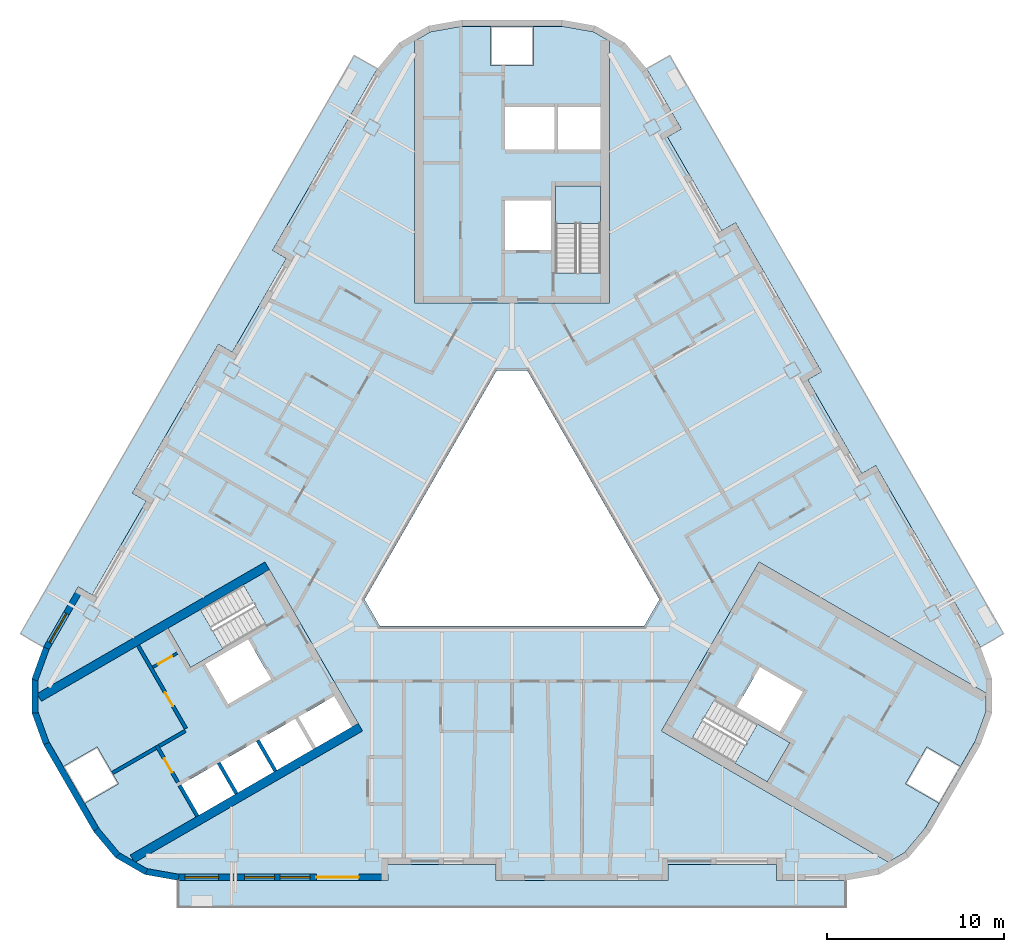
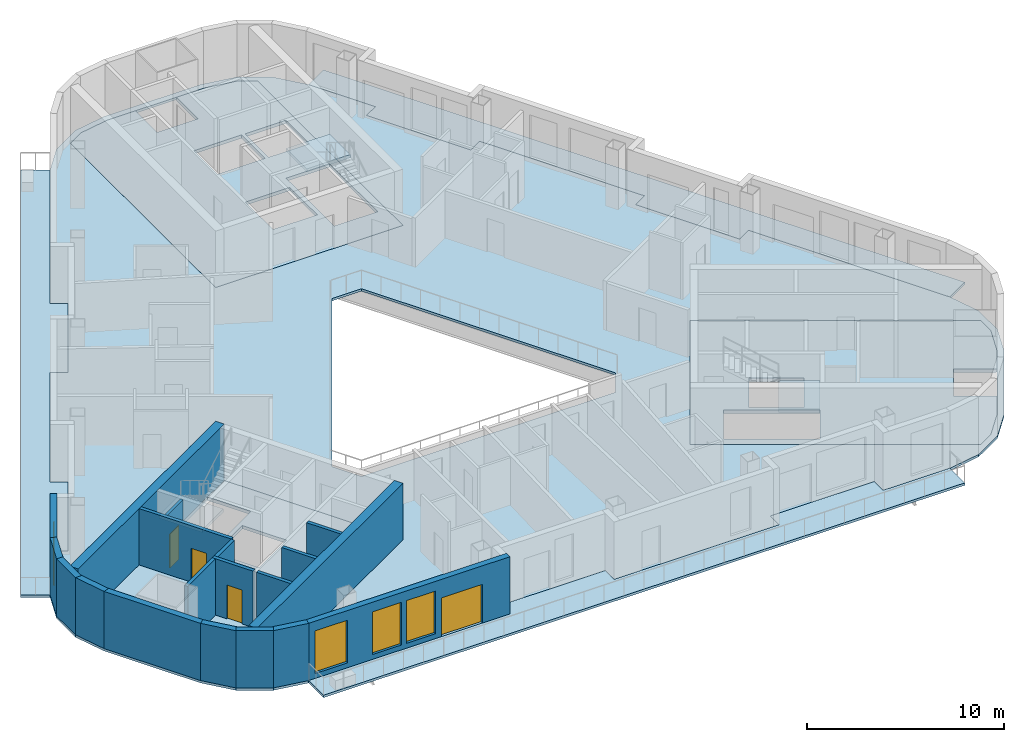
# One storey, part 2 of 14: 19 walls, 10 slabs, 4 doors, 4 windows, 8 openings, 3 elements without a shape of their own.
"""IFC4 building model written with IfcOpenShell, lengths in metres."""

from ifc_helpers import new_model, si_unit, direction, frame, frame_2d, origin, place, context, subcontext, project, spatial, polyline, rectangle, outline, extrude, material, layer, layer_set, type_object, element, fill, aggregate, save


model = new_model("IFC4")

# Units and contexts
model_context = context("Model", 3, precision=1e-05, world=origin(), true_north=direction((0.0, 1.0)))
body_context = subcontext(model_context, "Body", "Model", "MODEL_VIEW")
ifc_project = project(units=[si_unit("LENGTHUNIT", "METRE"), si_unit("AREAUNIT", "SQUARE_METRE"), si_unit("VOLUMEUNIT", "CUBIC_METRE"), si_unit("PLANEANGLEUNIT", "RADIAN"), si_unit("MASSUNIT", "GRAM", prefix="KILO")], contexts=[model_context])

# Site, building, storey
site_placement = place(None, origin())
site = spatial("IfcSite", under=ifc_project, at=site_placement, CompositionType="ELEMENT")
building_placement = place(site_placement, origin())
building = spatial("IfcBuilding", under=site, at=building_placement, Name="Apuvela Tower Hotel", CompositionType="ELEMENT")
storey_placement = place(building_placement, frame((0.0, 0.0, 220.60009765625)))
storey = spatial("IfcBuildingStorey", under=building, at=storey_placement, Name="L54", CompositionType="ELEMENT", Elevation=220.60009765625)

# Slabs
ifc_material_1 = material(Name="Concrete C50/60", Category="concrete")
ifc_layer_1 = layer(ifc_material_1, 0.199951171875)
ifc_layer_set_1 = layer_set([ifc_layer_1], Name="COR-FLOOR-200")
slab_type_1 = type_object("IfcSlabType", Name="COR-FLOOR-200", PredefinedType="FLOOR", material=ifc_layer_set_1)
slab_1_placement = place(storey_placement, frame((0.0, 0.0, -0.2001953125)))
element("IfcSlab", 1, at=slab_1_placement, inside=storey, type_object=slab_type_1, Name="Core floor N", PredefinedType="FLOOR", context=body_context, shape_type="SweptSolid", body=[
    extrude(outline(polyline([(5.5, 27.668212890625), (4.588623046875, 28.1943359375), (2.85498046875, 28.5), (1.199951171875, 28.5), (1.199951171875, 26.300048828125), (-1.199951171875, 26.300048828125), (-1.199951171875, 28.5), (-2.85498046875, 28.5), (-4.588623046875, 28.1943359375), (-5.5, 27.668212890625), (-5.5, 12.89990234375), (5.5, 12.89990234375), (5.5, 27.668212890625)]), holes=[polyline([(5.0, 14.60595703125), (2.449951171875, 14.60595703125), (2.449951171875, 19.5), (5.0, 19.5), (5.0, 14.60595703125)]), polyline([(2.199951171875, 15.89990234375), (-0.39990234375, 15.89990234375), (-0.39990234375, 18.699951171875), (2.199951171875, 18.699951171875), (2.199951171875, 15.89990234375)]), polyline([(5.0, 21.550048828125), (2.60009765625, 21.550048828125), (2.60009765625, 23.949951171875), (5.0, 23.949951171875), (5.0, 21.550048828125)]), polyline([(2.39990234375, 21.550048828125), (-0.39990234375, 21.550048828125), (-0.39990234375, 23.949951171875), (2.39990234375, 23.949951171875), (2.39990234375, 21.550048828125)])]), origin(), (0.0, 0.0, 1.0), 0.2001953125),
])
slab_2_placement = place(storey_placement, frame((0.0, 0.0, -0.2001953125)))
element("IfcSlab", 2, at=slab_2_placement, inside=storey, type_object=slab_type_1, Name="Core floor SW", PredefinedType="FLOOR", context=body_context, shape_type="SweptSolid", body=[
    extrude(outline(polyline([(-26.711181640625, -9.07080078125), (-26.711181640625, -10.123291015625), (-26.109375, -11.77734375), (-25.28173828125, -13.210693359375), (-23.37646484375, -12.11083984375), (-22.176513671875, -14.189208984375), (-24.081787109375, -15.289306640625), (-23.254150390625, -16.72265625), (-22.122802734375, -18.071044921875), (-21.211181640625, -18.59716796875), (-8.421630859375, -11.213134765625), (-13.921630859375, -1.68701171875), (-26.711181640625, -9.07080078125)]), holes=[polyline([(-10.01806640625, -9.248046875), (-9.01806640625, -10.97998046875), (-11.044677734375, -12.150146484375), (-12.044677734375, -10.418212890625), (-10.01806640625, -9.248046875)]), polyline([(-14.244384765625, -11.68798828125), (-12.2177734375, -10.51806640625), (-11.2177734375, -12.25), (-13.244384765625, -13.420166015625), (-14.244384765625, -11.68798828125)]), polyline([(-19.387451171875, -5.419921875), (-15.149169921875, -2.972900390625), (-13.874267578125, -5.18115234375), (-18.112548828125, -7.628173828125), (-19.387451171875, -5.419921875)]), polyline([(-14.869873046875, -6.044677734375), (-13.56982421875, -8.29638671875), (-15.99462890625, -9.6962890625), (-17.294677734375, -7.444580078125), (-14.869873046875, -6.044677734375)]), polyline([(-16.444091796875, -12.9580078125), (-14.41748046875, -11.7880859375), (-13.41748046875, -13.52001953125), (-15.444091796875, -14.690185546875), (-16.444091796875, -12.9580078125)]), polyline([(-18.643798828125, -14.22802734375), (-16.6171875, -13.05810546875), (-15.6171875, -14.7900390625), (-17.643798828125, -15.960205078125), (-18.643798828125, -14.22802734375)])]), origin(), (0.0, 0.0, 1.0), 0.2001953125),
])
slab_3_placement = place(storey_placement, frame((0.0, 0.0, -0.2001953125)))
element("IfcSlab", 3, at=slab_3_placement, inside=storey, type_object=slab_type_1, Name="Core floor SE", PredefinedType="FLOOR", context=body_context, shape_type="SweptSolid", body=[
    extrude(outline(polyline([(21.211181640625, -18.59716796875), (22.122802734375, -18.071044921875), (23.254150390625, -16.72265625), (24.081787109375, -15.289306640625), (22.176513671875, -14.189208984375), (23.37646484375, -12.11083984375), (25.28173828125, -13.210693359375), (26.109375, -11.77734375), (26.711181640625, -10.123291015625), (26.711181640625, -9.07080078125), (13.921630859375, -1.68701171875), (8.421630859375, -11.213134765625), (21.211181640625, -18.59716796875)]), holes=[polyline([(11.42431640625, -9.4248046875), (15.66259765625, -11.871826171875), (14.387451171875, -14.080078125), (10.149169921875, -11.633056640625), (11.42431640625, -9.4248046875)]), polyline([(13.9697265625, -7.603515625), (16.394775390625, -9.003662109375), (15.0947265625, -11.25537109375), (12.669921875, -9.855224609375), (13.9697265625, -7.603515625)])]), origin(), (0.0, 0.0, 1.0), 0.2001953125),
])

# Stair, slab
stair_type = type_object("IfcStairType", Name="COR-STAIR-22R", PredefinedType="HALF_TURN_STAIR", material=ifc_material_1)
stair_1_placement = place(storey_placement, origin())
stair_1 = element("IfcStair", 4, at=stair_1_placement, inside=storey, type_object=stair_type, Name="L54 Exit stair ST1", PredefinedType="HALF_TURN_STAIR")
ifc_layer_2 = layer(ifc_material_1, 0.199951171875)
ifc_layer_set_2 = layer_set([ifc_layer_2], Name="COR-LANDING-200")
slab_type_2 = type_object("IfcSlabType", Name="COR-LANDING-200", PredefinedType="LANDING", material=ifc_layer_set_2)
slab_4_placement = place(storey_placement, frame((0.0, 0.0, 1.64990234375)))
slab_4 = element("IfcSlab", 5, at=slab_4_placement, type_object=slab_type_2, Name="ST1 landing 1", PredefinedType="LANDING", context=body_context, shape_type="SweptSolid", body=[
    extrude(outline(polyline([(5.0, 17.39404296875), (5.0, 19.5), (2.449951171875, 19.5), (2.449951171875, 17.39404296875), (5.0, 17.39404296875)])), origin(), (0.0, 0.0, 1.0), 0.199951171875),
])
aggregate(stair_1, [slab_4])

stair_2_placement = place(storey_placement, origin())
stair_2 = element("IfcStair", 6, at=stair_2_placement, inside=storey, type_object=stair_type, Name="L54 Exit stair ST2", PredefinedType="HALF_TURN_STAIR")
slab_5_placement = place(storey_placement, frame((0.0, 0.0, 1.64990234375)))
slab_5 = element("IfcSlab", 7, at=slab_5_placement, type_object=slab_type_2, Name="ST2 landing 1", PredefinedType="LANDING", context=body_context, shape_type="SweptSolid", body=[
    extrude(outline(polyline([(-17.563720703125, -4.366943359375), (-19.387451171875, -5.419921875), (-18.112548828125, -7.628173828125), (-16.28857421875, -6.5751953125), (-17.563720703125, -4.366943359375)])), origin(), (0.0, 0.0, 1.0), 0.199951171875),
])
aggregate(stair_2, [slab_5])

stair_3_placement = place(storey_placement, origin())
stair_3 = element("IfcStair", 8, at=stair_3_placement, inside=storey, type_object=stair_type, Name="L54 Exit stair ST3", PredefinedType="HALF_TURN_STAIR")
slab_6_placement = place(storey_placement, frame((0.0, 0.0, 1.64990234375)))
slab_6 = element("IfcSlab", 9, at=slab_6_placement, type_object=slab_type_2, Name="ST3 landing 1", PredefinedType="LANDING", context=body_context, shape_type="SweptSolid", body=[
    extrude(outline(polyline([(12.563720703125, -13.027099609375), (14.387451171875, -14.080078125), (15.66259765625, -11.871826171875), (13.838623046875, -10.81884765625), (12.563720703125, -13.027099609375)])), origin(), (0.0, 0.0, 1.0), 0.199951171875),
])
aggregate(stair_3, [slab_6])

# Slabs
ifc_material_2 = material(Name="Concrete C40/50, fair-faced", Category="concrete")
ifc_layer_3 = layer(ifc_material_2, 0.14990234375)
ifc_layer_set_3 = layer_set([ifc_layer_3], Name="ENV-BALCONY-150")
slab_type_3 = type_object("IfcSlabType", Name="ENV-BALCONY-150", PredefinedType="FLOOR", material=ifc_layer_set_3)
slab_7_placement = place(storey_placement, frame((0.0, 0.0, -0.150146484375)))
element("IfcSlab", 10, at=slab_7_placement, inside=storey, type_object=slab_type_3, Name="Balcony slab S L54", PredefinedType="FLOOR", context=body_context, shape_type="SweptSolid", body=[
    extrude(outline(polyline([(18.82080078125, -21.135009765625), (-18.82080078125, -21.135009765625), (-18.82080078125, -19.625), (-7.0048828125, -19.625), (-7.0048828125, -18.72509765625), (-0.89501953125, -18.72509765625), (-0.89501953125, -19.625), (8.794921875, -19.625), (8.794921875, -18.72509765625), (14.905029296875, -18.72509765625), (14.905029296875, -19.625), (18.82080078125, -19.625), (18.82080078125, -21.135009765625)])), origin(), (0.0, 0.0, 1.0), 0.150146484375),
])
slab_8_placement = place(storey_placement, frame((0.0, 0.0, -0.150146484375)))
element("IfcSlab", 11, at=slab_8_placement, inside=storey, type_object=slab_type_3, Name="Balcony slab NE L54", PredefinedType="FLOOR", context=body_context, shape_type="SweptSolid", body=[
    extrude(outline(polyline([(17.443359375, 9.037353515625), (12.598388671875, 17.42919921875), (11.81884765625, 16.979248046875), (8.763916015625, 22.2705078125), (9.543212890625, 22.720703125), (7.585205078125, 26.11181640625), (8.89306640625, 26.86669921875), (27.7138671875, -5.731689453125), (26.40625, -6.48681640625), (20.498291015625, 3.74609375), (19.71875, 3.2958984375), (16.663818359375, 8.58740234375), (17.443359375, 9.037353515625)])), origin(), (0.0, 0.0, 1.0), 0.150146484375),
])
slab_9_placement = place(storey_placement, frame((0.0, 0.0, -0.150146484375)))
element("IfcSlab", 12, at=slab_9_placement, inside=storey, type_object=slab_type_3, Name="Balcony slab NW L54", PredefinedType="FLOOR", context=body_context, shape_type="SweptSolid", body=[
    extrude(outline(polyline([(-27.7138671875, -5.731689453125), (-8.89306640625, 26.86669921875), (-7.585205078125, 26.11181640625), (-13.4931640625, 15.87890625), (-12.7138671875, 15.428955078125), (-15.768798828125, 10.1376953125), (-16.548095703125, 10.587646484375), (-21.393310546875, 2.19580078125), (-20.61376953125, 1.745849609375), (-23.668701171875, -3.545654296875), (-24.4482421875, -3.095703125), (-26.40625, -6.48681640625), (-27.7138671875, -5.731689453125)])), origin(), (0.0, 0.0, 1.0), 0.150146484375),
])
ifc_material_3 = material(Name="Concrete C35/45", Category="concrete")
ifc_layer_4 = layer(ifc_material_3, 0.14990234375)
ifc_layer_set_4 = layer_set([ifc_layer_4], Name="STR-SLAB 150 floor Concrete C35/45")
slab_type_4 = type_object("IfcSlabType", Name="STR-SLAB 150 floor Concrete C35/45", PredefinedType="FLOOR", material=ifc_layer_set_4)
slab_10_placement = place(storey_placement, frame((0.0, 0.0, -0.150146484375)))
element("IfcSlab", 13, at=slab_10_placement, inside=storey, type_object=slab_type_4, Name="Floor slab S4 L54", PredefinedType="FLOOR", context=body_context, shape_type="SweptSolid", body=[
    extrude(outline(polyline([(-6.3642578125, 27.5732421875), (-4.710205078125, 28.5283203125), (-2.8291015625, 28.860107421875), (2.8291015625, 28.860107421875), (4.710205078125, 28.5283203125), (6.3642578125, 27.5732421875), (7.59228515625, 26.110107421875), (9.550048828125, 22.71875), (8.770751953125, 22.268798828125), (11.82080078125, 16.986083984375), (12.60009765625, 17.43603515625), (17.4501953125, 9.035400390625), (16.670654296875, 8.58544921875), (19.720703125, 3.302734375), (20.5, 3.752685546875), (26.407958984375, -6.47998046875), (27.061279296875, -8.27490234375), (27.061279296875, -10.18505859375), (26.407958984375, -11.97998046875), (23.5791015625, -16.8798828125), (22.351318359375, -18.34326171875), (20.697021484375, -19.29833984375), (18.81591796875, -19.6298828125), (14.89990234375, -19.6298828125), (14.89990234375, -18.72998046875), (8.800048828125, -18.72998046875), (8.800048828125, -19.6298828125), (-0.89990234375, -19.6298828125), (-0.89990234375, -18.72998046875), (-7.0, -18.72998046875), (-7.0, -19.6298828125), (-18.81591796875, -19.6298828125), (-20.697021484375, -19.29833984375), (-22.351318359375, -18.34326171875), (-23.5791015625, -16.8798828125), (-26.407958984375, -11.97998046875), (-27.061279296875, -10.18505859375), (-27.061279296875, -8.27490234375), (-26.407958984375, -6.47998046875), (-24.4501953125, -3.088623046875), (-23.670654296875, -3.538818359375), (-20.62060546875, 1.743896484375), (-21.400146484375, 2.194091796875), (-16.550048828125, 10.594482421875), (-15.7705078125, 10.14453125), (-12.720703125, 15.42724609375), (-13.5, 15.877197265625), (-7.59228515625, 26.110107421875), (-6.3642578125, 27.5732421875)]), holes=[polyline([(0.865966796875, 9.10009765625), (-0.865966796875, 9.10009765625), (-8.313720703125, -3.800048828125), (-7.44775390625, -5.300048828125), (7.44775390625, -5.300048828125), (8.313720703125, -3.800048828125), (0.865966796875, 9.10009765625)]), polyline([(-5.5, 12.89990234375), (-5.5, 27.668212890625), (-4.588623046875, 28.1943359375), (-2.85498046875, 28.5), (2.85498046875, 28.5), (4.588623046875, 28.1943359375), (5.5, 27.668212890625), (5.5, 12.89990234375), (-5.5, 12.89990234375)]), polyline([(-8.421630859375, -11.213134765625), (-21.211181640625, -18.59716796875), (-22.122802734375, -18.071044921875), (-23.254150390625, -16.72265625), (-26.109375, -11.77734375), (-26.711181640625, -10.123291015625), (-26.711181640625, -9.07080078125), (-13.921630859375, -1.68701171875), (-8.421630859375, -11.213134765625)]), polyline([(13.921630859375, -1.68701171875), (26.711181640625, -9.07080078125), (26.711181640625, -10.123291015625), (26.109375, -11.77734375), (23.254150390625, -16.72265625), (22.122802734375, -18.071044921875), (21.211181640625, -18.59716796875), (8.421630859375, -11.213134765625), (13.921630859375, -1.68701171875)])]), origin(), (0.0, 0.0, 1.0), 0.150146484375),
])

# Walls
ifc_layer_5 = layer(ifc_material_1, 0.5)
ifc_layer_set_5 = layer_set([ifc_layer_5], Name="COR-WALL-CORE-500")
wall_type_1 = type_object("IfcWallType", Name="COR-WALL-CORE-500", PredefinedType="SHEAR", material=ifc_layer_set_5)
for number, where, z_axis, x_axis, name in (
    (14, (-13.796630859375, -1.9033203125, 0.0), (0.0, 0.0, 1.0), (-0.866025009528, -0.500000682871, 0.0), "Core wall SW"),
    (15, (-8.546630859375, -10.99658203125, 0.0), (0.0, 0.0, 1.0), (-0.866025009528, -0.500000682871, 0.0), "Core wall SW"),
):
    element("IfcWall", number, at=place(storey_placement, frame(where, z_axis=z_axis, x_axis=x_axis)), inside=storey, type_object=wall_type_1, Name=name, PredefinedType="SHEAR", context=body_context, shape_type="SweptSolid", body=[
        extrude(rectangle(XDim=14.8369140625, YDim=0.5, at=frame_2d((7.41845703125, 0.0))), origin(), (0.0, 0.0, 1.0), 3.5),
    ])

# Wall, opening, door
ifc_material_4 = material(Name="Blockwork 150 mm plastered", Category="masonry")
ifc_layer_6 = layer(ifc_material_4, 0.14990234375)
ifc_layer_set_6 = layer_set([ifc_layer_6], Name="COR-WALL-PART-150")
wall_type_2 = type_object("IfcWallType", Name="COR-WALL-PART-150", PredefinedType="PARTITIONING", material=ifc_layer_set_6)
wall_1_placement = place(storey_placement, frame((-18.866455078125, -6.822265625, 0.0), z_axis=(0.0, 0.0, 1.0), x_axis=(-0.866028054938, -0.499995408039, 0.0)))
wall_1 = element("IfcWall", 16, at=wall_1_placement, inside=storey, type_object=wall_type_2, Name="Partition SW", PredefinedType="PARTITIONING", context=body_context, shape_type="SweptSolid", body=[
    extrude(rectangle(XDim=1.60009765625, YDim=0.14990234375, at=frame_2d((0.800048828125, 0.0))), origin(), (0.0, 0.0, 1.0), 3.5),
])
opening_1_placement = place(wall_1_placement, frame((0.35009765625, 0.0, 0.0)))
opening_1 = element("IfcOpeningElement", 17, at=opening_1_placement, cuts=wall_1, Name="Opening W-RD", PredefinedType="OPENING", context=body_context, shape_type="SweptSolid", body=[
    extrude(rectangle(XDim=0.89990234375, YDim=2.10009765625, at=frame_2d((0.449951171875, 1.050048828125))), frame((0.0, 0.0849609375, 0.0), z_axis=(0.0, -1.0, 0.0), x_axis=(1.0, 0.0, 0.0)), (0.0, 0.0, 1.0), 0.169921875),
])
ifc_material_5 = material(Name="Steel access door, powder coated", Category="steel")
door_type_1 = type_object("IfcDoorType", Name="COR-RD-900", OperationType="NOTDEFINED", PredefinedType="DOOR", material=ifc_material_5)
door_1_placement = place(opening_1_placement, frame((0.89990234375, 0.0, 0.0), z_axis=(0.0, 0.0, 1.0), x_axis=(-1.0, 0.0, 0.0)))
door_1 = element("IfcDoor", 18, at=door_1_placement, inside=storey, type_object=door_type_1, Name="Riser door W-RD", OperationType="SINGLE_SWING_RIGHT", OverallHeight=2.10009765625, OverallWidth=0.89990234375, PredefinedType="DOOR", context=body_context, shape_type="SweptSolid", body=[
    extrude(rectangle(XDim=0.89990234375, YDim=2.10009765625, at=frame_2d((0.449951171875, 1.050048828125))), frame((0.0, 0.02490234375, 0.0), z_axis=(0.0, -1.0, 0.0), x_axis=(1.0, 0.0, 0.0)), (0.0, 0.0, 1.0), 0.050048828125),
])
fill(opening_1, door_1)

ifc_material_6 = material(Name="Blockwork 200 mm plastered", Category="masonry")
ifc_layer_7 = layer(ifc_material_6, 0.199951171875)
ifc_layer_set_7 = layer_set([ifc_layer_7], Name="COR-WALL-PART-200")
wall_type_3 = type_object("IfcWallType", Name="COR-WALL-PART-200", PredefinedType="PARTITIONING", material=ifc_layer_set_7)
wall_2_placement = place(storey_placement, frame((-21.076171875, -6.39501953125, 0.0), z_axis=(0.0, 0.0, 1.0), x_axis=(0.50001468107, -0.866016927499, 0.0)))
wall_2 = element("IfcWall", 19, at=wall_2_placement, inside=storey, type_object=wall_type_3, Name="Partition SW", PredefinedType="PARTITIONING", context=body_context, shape_type="SweptSolid", body=[
    extrude(rectangle(XDim=5.399658203125, YDim=0.199951171875, at=frame_2d((2.69970703125, 0.0))), origin(), (0.0, 0.0, 1.0), 3.5),
])
opening_2_placement = place(wall_2_placement, frame((3.050048828125, 0.0, 0.0)))
opening_2 = element("IfcOpeningElement", 20, at=opening_2_placement, cuts=wall_2, Name="Opening W-RS1", PredefinedType="OPENING", context=body_context, shape_type="SweptSolid", body=[
    extrude(rectangle(XDim=0.89990234375, YDim=2.10009765625, at=frame_2d((0.449951171875, 1.050048828125))), frame((0.0, 0.10986328125, 0.0), z_axis=(0.0, -1.0, 0.0), x_axis=(1.0, 0.0, 0.0)), (0.0, 0.0, 1.0), 0.219970703125),
])
ifc_material_7 = material(Name="Steel fire door, powder coated", Category="steel")
door_type_2 = type_object("IfcDoorType", Name="COR-DR-900", OperationType="NOTDEFINED", PredefinedType="DOOR", material=ifc_material_7)
door_2_placement = place(opening_2_placement, frame((0.89990234375, 0.0, 0.0), z_axis=(0.0, 0.0, 1.0), x_axis=(-1.0, 0.0, 0.0)))
door_2 = element("IfcDoor", 21, at=door_2_placement, inside=storey, type_object=door_type_2, Name="Store door W-RS1", OperationType="SINGLE_SWING_LEFT", OverallHeight=2.10009765625, OverallWidth=0.89990234375, PredefinedType="DOOR", context=body_context, shape_type="SweptSolid", body=[
    extrude(rectangle(XDim=0.89990234375, YDim=2.10009765625, at=frame_2d((0.449951171875, 1.050048828125))), frame((0.0, 0.02490234375, 0.0), z_axis=(0.0, -1.0, 0.0), x_axis=(1.0, 0.0, 0.0)), (0.0, 0.0, 1.0), 0.050048828125),
])
fill(opening_2, door_2)

ifc_layer_8 = layer(ifc_material_1, 0.199951171875)
ifc_layer_set_8 = layer_set([ifc_layer_8], Name="COR-WALL-SHAFT-200")
wall_type_4 = type_object("IfcWallType", Name="COR-WALL-SHAFT-200", PredefinedType="SHEAR", material=ifc_layer_set_8)
wall_3_placement = place(storey_placement, frame((-20.030517578125, -12.0263671875, 0.0), z_axis=(0.0, 0.0, 1.0), x_axis=(0.500033551112, -0.866006032174, 0.0)))
wall_3 = element("IfcWall", 22, at=wall_3_placement, inside=storey, type_object=wall_type_4, Name="Shaft wall SW", PredefinedType="SHEAR", context=body_context, shape_type="SweptSolid", body=[
    extrude(rectangle(XDim=2.400146484375, YDim=0.199951171875, at=frame_2d((1.2001953125, 0.0))), origin(), (0.0, 0.0, 1.0), 3.5),
])
opening_3_placement = place(wall_3_placement, frame((0.85009765625, 0.0, 0.0)))
opening_3 = element("IfcOpeningElement", 23, at=opening_3_placement, cuts=wall_3, Name="Opening W-REP", PredefinedType="OPENING", context=body_context, shape_type="SweptSolid", body=[
    extrude(rectangle(XDim=0.89990234375, YDim=2.10009765625, at=frame_2d((0.449951171875, 1.050048828125))), frame((0.0, 0.10986328125, 0.0), z_axis=(0.0, -1.0, 0.0), x_axis=(1.0, 0.0, 0.0)), (0.0, 0.0, 1.0), 0.219970703125),
])
door_3_placement = place(opening_3_placement, frame((0.89990234375, 0.0, 0.0), z_axis=(0.0, 0.0, 1.0), x_axis=(-1.0, 0.0, 0.0)))
door_3 = element("IfcDoor", 24, at=door_3_placement, inside=storey, type_object=door_type_2, Name="Store door W-REP", OperationType="SINGLE_SWING_LEFT", OverallHeight=2.10009765625, OverallWidth=0.89990234375, PredefinedType="DOOR", context=body_context, shape_type="SweptSolid", body=[
    extrude(rectangle(XDim=0.89990234375, YDim=2.10009765625, at=frame_2d((0.449951171875, 1.050048828125))), frame((0.0, 0.02490234375, 0.0), z_axis=(0.0, -1.0, 0.0), x_axis=(1.0, 0.0, 0.0)), (0.0, 0.0, 1.0), 0.050048828125),
])
fill(opening_3, door_3)

# Walls
wall_4_placement = place(storey_placement, frame((-18.412841796875, -11.2080078125, 0.0), z_axis=(0.0, 0.0, 1.0), x_axis=(-0.866038183914, -0.499977863513, 0.0)))
element("IfcWall", 25, at=wall_4_placement, inside=storey, type_object=wall_type_4, Name="Shaft wall SW", PredefinedType="SHEAR", context=body_context, shape_type="SweptSolid", body=[
    extrude(rectangle(XDim=1.7099609375, YDim=0.199951171875, at=frame_2d((0.85498046875, 0.0))), origin(), (0.0, 0.0, 1.0), 3.5),
])
for number, where, z_axis, x_axis, name in (
    (26, (-14.330810546875, -11.738037109375, 0.0), (0.0, 0.0, 1.0), (0.499972520799, -0.866041268327, 0.0), "Shaft wall SW"),
    (27, (-16.530517578125, -13.008056640625, 0.0), (0.0, 0.0, 1.0), (0.50002537861, -0.866010750942, 0.0), "Shaft wall SW"),
    (28, (-18.73046875, -14.278076171875, 0.0), (0.0, 0.0, 1.0), (0.50002537861, -0.866010750942, 0.0), "Shaft wall SW"),
):
    element("IfcWall", number, at=place(storey_placement, frame(where, z_axis=z_axis, x_axis=x_axis)), inside=storey, type_object=wall_type_4, Name=name, PredefinedType="SHEAR", context=body_context, shape_type="SweptSolid", body=[
        extrude(rectangle(XDim=2.0, YDim=0.199951171875, at=frame_2d((1.0, 0.0))), origin(), (0.0, 0.0, 1.0), 3.5),
    ])
wall_5_placement = place(storey_placement, frame((-20.06689453125, -12.1630859375, 0.0), z_axis=(0.0, 0.0, 1.0), x_axis=(-0.866055327414, -0.49994816717, 0.0)))
element("IfcWall", 29, at=wall_5_placement, inside=storey, type_object=wall_type_4, Name="Shaft wall SW", PredefinedType="SHEAR", context=body_context, shape_type="SweptSolid", body=[
    extrude(rectangle(XDim=2.840087890625, YDim=0.199951171875, at=frame_2d((1.419921875, 0.0))), origin(), (0.0, 0.0, 1.0), 3.5),
])

# Wall, opening, window
ifc_material_8 = material(Name="Concrete C40/50, dark pigmented precast panel", Category="concrete")
ifc_layer_9 = layer(ifc_material_8, 0.35009765625)
ifc_layer_set_9 = layer_set([ifc_layer_9], Name="ENV-WALL-350")
wall_type_5 = type_object("IfcWallType", Name="ENV-WALL-350", PredefinedType="SOLIDWALL", material=ifc_layer_set_9)
wall_6_placement = place(storey_placement, frame((-24.298583984375, -3.17626953125, 0.0), z_axis=(0.0, 0.0, 1.0), x_axis=(-0.500028278809, -0.866009076391, 0.0)))
wall_6 = element("IfcWall", 30, at=wall_6_placement, inside=storey, type_object=wall_type_5, Name="External wall L54-09", PredefinedType="SOLIDWALL", context=body_context, shape_type="SweptSolid", body=[
    extrude(rectangle(XDim=3.915771484375, YDim=0.35009765625, at=frame_2d((1.9580078125, 0.0))), origin(), (0.0, 0.0, 1.0), 3.5498046875),
])
opening_4_placement = place(wall_6_placement, frame((1.625, 0.0, 0.300048828125)))
opening_4 = element("IfcOpeningElement", 31, at=opening_4_placement, cuts=wall_6, Name="Opening WN19", PredefinedType="OPENING", context=body_context, shape_type="SweptSolid", body=[
    extrude(rectangle(XDim=1.89990234375, YDim=2.64990234375, at=frame_2d((0.949951171875, 1.324951171875))), frame((0.0, 0.18505859375, 0.0), z_axis=(0.0, -1.0, 0.0), x_axis=(1.0, 0.0, 0.0)), (0.0, 0.0, 1.0), 0.3701171875),
])
ifc_material_9 = material(Name="Glass, dark tinted laminated insulated glazing unit", Category="glass")
window_type_1 = type_object("IfcWindowType", Name="ENV-WIN-1900x2650", PartitioningType="SINGLE_PANEL", PredefinedType="WINDOW", material=ifc_material_9)
window_1_placement = place(opening_4_placement, origin())
window_1 = element("IfcWindow", 32, at=window_1_placement, inside=storey, type_object=window_type_1, Name="Window WN19", OverallHeight=2.64990234375, OverallWidth=1.89990234375, PartitioningType="SINGLE_PANEL", PredefinedType="WINDOW", context=body_context, shape_type="SweptSolid", body=[
    extrude(rectangle(XDim=1.89990234375, YDim=2.64990234375, at=frame_2d((0.949951171875, 1.324951171875))), frame((0.0, 0.030029296875, 0.0), z_axis=(0.0, -1.0, 0.0), x_axis=(1.0, 0.0, 0.0)), (0.0, 0.0, 1.0), 0.06005859375),
])
fill(opening_4, window_1)

# Walls
for number, where, z_axis, x_axis, name in (
    (33, (-26.24365234375, -6.539794921875, 0.0), (0.0, 0.0, 1.0), (-0.342030395486, -0.939688889242, 0.0), "External wall L54-10"),
    (34, (-26.88623046875, -8.27490234375, 0.0), (0.0, 0.0, 1.0), (0.0, -1.0, 0.0), "External wall L54-11"),
    (35, (-26.89697265625, -10.125244140625, 0.0), (0.0, 0.0, 1.0), (0.342030395486, -0.939688889242, 0.0), "External wall L54-12"),
):
    element("IfcWall", number, at=place(storey_placement, frame(where, z_axis=z_axis, x_axis=x_axis)), inside=storey, type_object=wall_type_5, Name=name, PredefinedType="SOLIDWALL", context=body_context, shape_type="SweptSolid", body=[
        extrude(rectangle(XDim=1.91015625, YDim=0.35009765625, at=frame_2d((0.955078125, 0.0))), origin(), (0.0, 0.0, 1.0), 3.5498046875),
    ])
wall_7_placement = place(storey_placement, frame((-26.256591796875, -11.892578125, 0.0), z_axis=(0.0, 0.0, 1.0), x_axis=(0.500018773155, -0.866014564827, 0.0)))
element("IfcWall", 36, at=wall_7_placement, inside=storey, type_object=wall_type_5, Name="External wall L54-13", PredefinedType="SOLIDWALL", context=body_context, shape_type="SweptSolid", body=[
    extrude(rectangle(XDim=5.657958984375, YDim=0.35009765625, at=frame_2d((2.8291015625, 0.0))), origin(), (0.0, 0.0, 1.0), 3.5498046875),
])
for number, where, z_axis, x_axis, name in (
    (37, (-23.44482421875, -16.767578125, 0.0), (0.0, 0.0, 1.0), (0.642733291068, -0.76609001857, 0.0), "External wall L54-14"),
    (38, (-22.263671875, -18.191650390625, 0.0), (0.0, 0.0, 1.0), (0.866000389056, -0.500043324278, 0.0), "External wall L54-15"),
):
    element("IfcWall", number, at=place(storey_placement, frame(where, z_axis=z_axis, x_axis=x_axis)), inside=storey, type_object=wall_type_5, Name=name, PredefinedType="SOLIDWALL", context=body_context, shape_type="SweptSolid", body=[
        extrude(rectangle(XDim=1.909912109375, YDim=0.35009765625, at=frame_2d((0.955078125, 0.0))), origin(), (0.0, 0.0, 1.0), 3.5498046875),
    ])
wall_8_placement = place(storey_placement, frame((-20.66650390625, -19.1259765625, 0.0), z_axis=(0.0, 0.0, 1.0), x_axis=(0.984798995425, -0.173697837091, 0.0)))
element("IfcWall", 39, at=wall_8_placement, inside=storey, type_object=wall_type_5, Name="External wall L54-16", PredefinedType="SOLIDWALL", context=body_context, shape_type="SweptSolid", body=[
    extrude(rectangle(XDim=1.91015625, YDim=0.35009765625, at=frame_2d((0.955078125, 0.0))), origin(), (0.0, 0.0, 1.0), 3.5498046875),
])

# Wall, openings, door, windows
wall_9_placement = place(storey_placement, frame((-18.81591796875, -19.455078125, 0.0), z_axis=(0.0, 0.0, 1.0), x_axis=(1.0, 0.0, 0.0)))
wall_9 = element("IfcWall", 40, at=wall_9_placement, inside=storey, type_object=wall_type_5, Name="External wall L54-17", PredefinedType="SOLIDWALL", context=body_context, shape_type="SweptSolid", body=[
    extrude(rectangle(XDim=11.81591796875, YDim=0.35009765625, at=frame_2d((5.907958984375, 0.0))), origin(), (0.0, 0.0, 1.0), 3.5498046875),
])
opening_5_placement = place(wall_9_placement, frame((0.380615234375, 0.0, 0.300048828125)))
opening_5 = element("IfcOpeningElement", 41, at=opening_5_placement, cuts=wall_9, Name="Opening WN19", PredefinedType="OPENING", context=body_context, shape_type="SweptSolid", body=[
    extrude(rectangle(XDim=1.89990234375, YDim=2.64990234375, at=frame_2d((0.949951171875, 1.324951171875))), frame((0.0, 0.18505859375, 0.0), z_axis=(0.0, -1.0, 0.0), x_axis=(1.0, 0.0, 0.0)), (0.0, 0.0, 1.0), 0.3701171875),
])
opening_6_placement = place(wall_9_placement, frame((7.790283203125, 0.0, 0.0)))
opening_6 = element("IfcOpeningElement", 42, at=opening_6_placement, cuts=wall_9, Name="Opening BD24", PredefinedType="OPENING", context=body_context, shape_type="SweptSolid", body=[
    extrude(rectangle(XDim=2.39990234375, YDim=2.39990234375, at=frame_2d((1.199951171875, 1.199951171875))), frame((0.0, 0.18505859375, 0.0), z_axis=(0.0, -1.0, 0.0), x_axis=(1.0, 0.0, 0.0)), (0.0, 0.0, 1.0), 0.3701171875),
])
opening_7_placement = place(wall_9_placement, frame((3.740966796875, 0.0, 0.300048828125)))
opening_7 = element("IfcOpeningElement", 43, at=opening_7_placement, cuts=wall_9, Name="Opening WN17", PredefinedType="OPENING", context=body_context, shape_type="SweptSolid", body=[
    extrude(rectangle(XDim=1.699951171875, YDim=2.64990234375, at=frame_2d((0.85009765625, 1.324951171875))), frame((0.0, 0.18505859375, 0.0), z_axis=(0.0, -1.0, 0.0), x_axis=(1.0, 0.0, 0.0)), (0.0, 0.0, 1.0), 0.3701171875),
])
opening_8_placement = place(wall_9_placement, frame((5.740966796875, 0.0, 0.300048828125)))
opening_8 = element("IfcOpeningElement", 44, at=opening_8_placement, cuts=wall_9, Name="Opening WN17", PredefinedType="OPENING", context=body_context, shape_type="SweptSolid", body=[
    extrude(rectangle(XDim=1.699951171875, YDim=2.64990234375, at=frame_2d((0.85009765625, 1.324951171875))), frame((0.0, 0.18505859375, 0.0), z_axis=(0.0, -1.0, 0.0), x_axis=(1.0, 0.0, 0.0)), (0.0, 0.0, 1.0), 0.3701171875),
])
ifc_material_10 = material(Name="Aluminium 6063-T6, dark bronze anodised frame with dark tinted laminated glass", Category="aluminium")
door_type_3 = type_object("IfcDoorType", Name="ENV-DOOR-BALCONY-2400x2400", OperationType="SLIDING_TO_LEFT", PredefinedType="DOOR", material=ifc_material_10)
door_4_placement = place(opening_6_placement, frame((2.39990234375, 0.0, 0.0), z_axis=(0.0, 0.0, 1.0), x_axis=(-1.0, 0.0, 0.0)))
door_4 = element("IfcDoor", 45, at=door_4_placement, inside=storey, type_object=door_type_3, Name="Balcony door BD24", OperationType="SLIDING_TO_LEFT", OverallHeight=2.39990234375, OverallWidth=2.39990234375, PredefinedType="DOOR", context=body_context, shape_type="SweptSolid", body=[
    extrude(rectangle(XDim=2.39990234375, YDim=2.39990234375, at=frame_2d((1.199951171875, 1.199951171875))), frame((0.0, 0.02490234375, 0.0), z_axis=(0.0, -1.0, 0.0), x_axis=(1.0, 0.0, 0.0)), (0.0, 0.0, 1.0), 0.050048828125),
])
fill(opening_6, door_4)
window_type_2 = type_object("IfcWindowType", Name="ENV-WIN-1700x2650", PartitioningType="SINGLE_PANEL", PredefinedType="WINDOW", material=ifc_material_9)
window_2_placement = place(opening_7_placement, origin())
window_2 = element("IfcWindow", 46, at=window_2_placement, inside=storey, type_object=window_type_2, Name="Window WN17", OverallHeight=2.64990234375, OverallWidth=1.699951171875, PartitioningType="SINGLE_PANEL", PredefinedType="WINDOW", context=body_context, shape_type="SweptSolid", body=[
    extrude(rectangle(XDim=1.699951171875, YDim=2.64990234375, at=frame_2d((0.85009765625, 1.324951171875))), frame((0.0, 0.030029296875, 0.0), z_axis=(0.0, -1.0, 0.0), x_axis=(1.0, 0.0, 0.0)), (0.0, 0.0, 1.0), 0.06005859375),
])
fill(opening_7, window_2)
window_3_placement = place(opening_8_placement, origin())
window_3 = element("IfcWindow", 47, at=window_3_placement, inside=storey, type_object=window_type_2, Name="Window WN17", OverallHeight=2.64990234375, OverallWidth=1.699951171875, PartitioningType="SINGLE_PANEL", PredefinedType="WINDOW", context=body_context, shape_type="SweptSolid", body=[
    extrude(rectangle(XDim=1.699951171875, YDim=2.64990234375, at=frame_2d((0.85009765625, 1.324951171875))), frame((0.0, 0.030029296875, 0.0), z_axis=(0.0, -1.0, 0.0), x_axis=(1.0, 0.0, 0.0)), (0.0, 0.0, 1.0), 0.06005859375),
])
fill(opening_8, window_3)
window_4_placement = place(opening_5_placement, origin())
window_4 = element("IfcWindow", 48, at=window_4_placement, inside=storey, type_object=window_type_1, Name="Window WN19", OverallHeight=2.64990234375, OverallWidth=1.89990234375, PartitioningType="SINGLE_PANEL", PredefinedType="WINDOW", context=body_context, shape_type="SweptSolid", body=[
    extrude(rectangle(XDim=1.89990234375, YDim=2.64990234375, at=frame_2d((0.949951171875, 1.324951171875))), frame((0.0, 0.030029296875, 0.0), z_axis=(0.0, -1.0, 0.0), x_axis=(1.0, 0.0, 0.0)), (0.0, 0.0, 1.0), 0.06005859375),
])
fill(opening_5, window_4)

save(model, "model.ifc")
